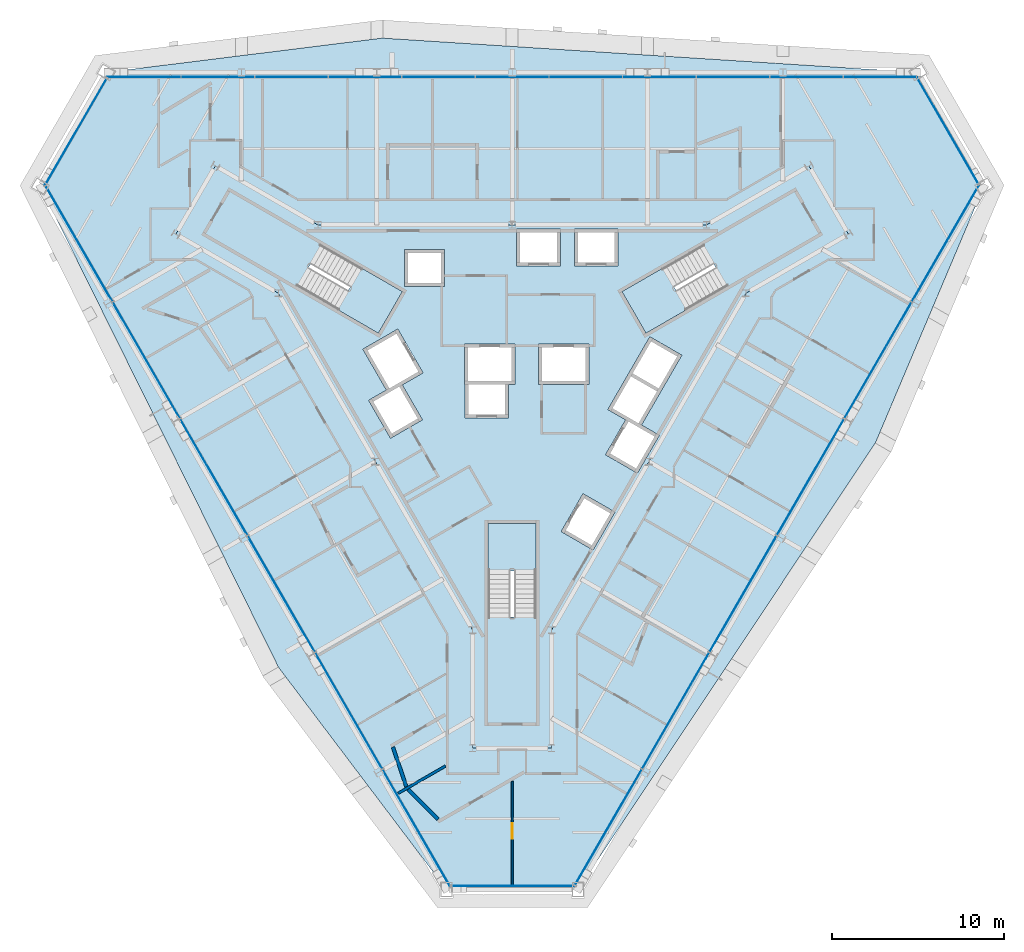
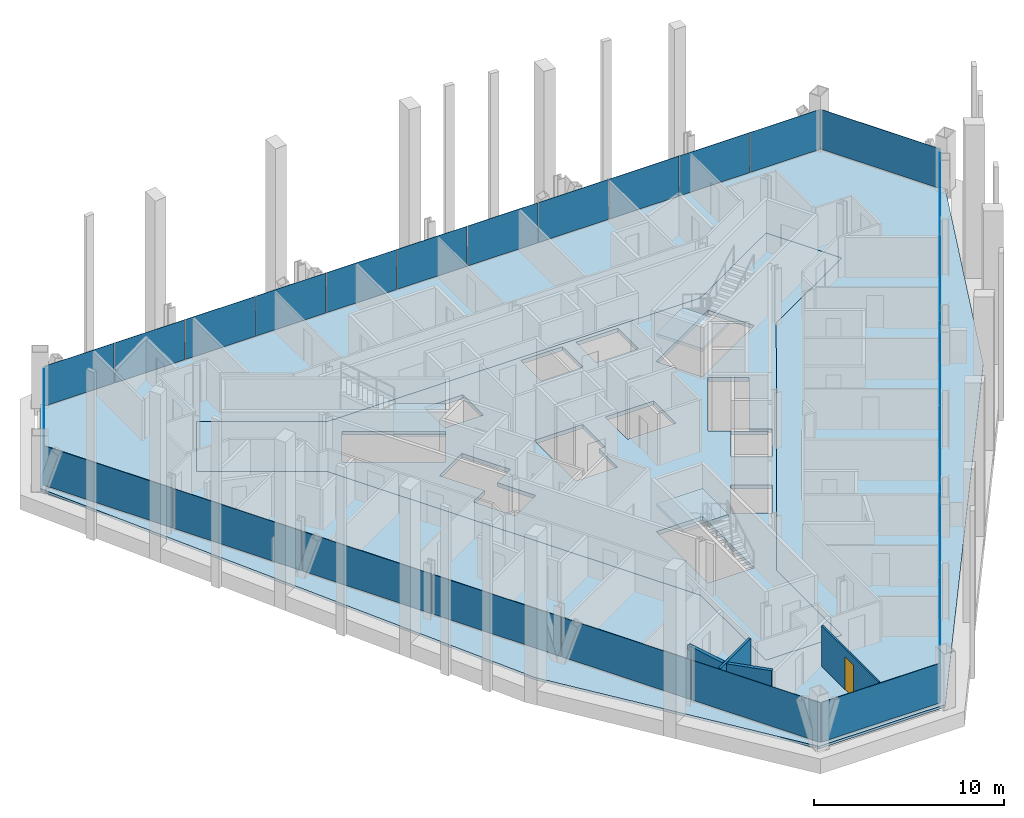
# One storey, part 9 of 17: 26 plates, 5 slabs, 4 walls, 1 door, 1 opening, 9 elements without a shape of their own.
"""IFC4 building model written with IfcOpenShell, lengths in metres."""

from ifc_helpers import new_model, si_unit, direction, frame, frame_2d, origin, origin_2d, place, context, subcontext, project, spatial, polyline, rectangle, outline, extrude, material, layer, layer_set, type_object, element, fill, aggregate, save


model = new_model("IFC4")

# Units and contexts
model_context = context("Model", 3, precision=1e-05, world=origin(), true_north=direction((0.0, 1.0)))
body_context = subcontext(model_context, "Body", "Model", "MODEL_VIEW")
ifc_project = project(units=[si_unit("LENGTHUNIT", "METRE"), si_unit("AREAUNIT", "SQUARE_METRE"), si_unit("VOLUMEUNIT", "CUBIC_METRE"), si_unit("PLANEANGLEUNIT", "RADIAN"), si_unit("MASSUNIT", "GRAM", prefix="KILO")], contexts=[model_context])

# Site, building, storey
site_placement = place(None, origin())
site = spatial("IfcSite", under=ifc_project, at=site_placement, CompositionType="ELEMENT")
building_placement = place(site_placement, origin())
building = spatial("IfcBuilding", under=site, at=building_placement, Name="Verrane Prism Tower", CompositionType="ELEMENT")
storey_placement = place(building_placement, frame((0.0, 0.0, 92.800048828125)))
storey = spatial("IfcBuildingStorey", under=building, at=storey_placement, Name="L21", CompositionType="ELEMENT", Elevation=92.800048828125)

# Slabs
ifc_material_1 = material(Name="Concrete C35/45", Category="concrete")
ifc_layer_1 = layer(ifc_material_1, 0.159912109375)
ifc_layer_set_1 = layer_set([ifc_layer_1], Name="Composite floor slab")
slab_type_1 = type_object("IfcSlabType", Name="Composite floor slab", PredefinedType="FLOOR", material=ifc_layer_set_1)
slab_1_placement = place(storey_placement, frame((0.0, 0.0, -0.16015625)))
element("IfcSlab", 1, at=slab_1_placement, inside=storey, type_object=slab_type_1, Name="Floor slab L21", PredefinedType="FLOOR", context=body_context, shape_type="SweptSolid", body=[
    extrude(outline(polyline([(21.1845703125, -3.4873046875), (3.8349609375, -29.53759765625), (-3.8349609375, -29.53759765625), (-13.6123046875, -16.6025390625), (-27.497802734375, 11.447509765625), (-23.662841796875, 18.090087890625), (-7.572021484375, 20.090087890625), (23.662841796875, 18.090087890625), (27.497802734375, 11.447509765625), (21.1845703125, -3.4873046875)]), holes=[polyline([(19.60009765625, 8.659912109375), (17.300048828125, 12.639892578125), (11.330078125, 9.199951171875), (0.0, 9.199951171875), (-11.330078125, 9.199951171875), (-17.300048828125, 12.639892578125), (-19.60009765625, 8.659912109375), (-13.6298828125, 5.219970703125), (-7.969970703125, -4.60009765625), (-2.300048828125, -14.419921875), (-2.300048828125, -21.300048828125), (2.300048828125, -21.300048828125), (2.300048828125, -14.419921875), (7.969970703125, -4.60009765625), (13.6298828125, 5.219970703125), (19.60009765625, 8.659912109375)])]), origin(), (0.0, 0.0, 1.0), 0.16015625),
])
ifc_material_2 = material(Name="Concrete C40/50", Category="concrete")
ifc_layer_2 = layer(ifc_material_2, 0.25)
ifc_layer_set_2 = layer_set([ifc_layer_2], Name="Core floor slab 250 concrete C40/50")
slab_type_2 = type_object("IfcSlabType", Name="Core floor slab 250 concrete C40/50", PredefinedType="FLOOR", material=ifc_layer_set_2)
slab_2_placement = place(storey_placement, frame((0.0, 0.0, -0.25)))
element("IfcSlab", 2, at=slab_2_placement, inside=storey, type_object=slab_type_2, Name="Core floor L21", PredefinedType="FLOOR", context=body_context, shape_type="SweptSolid", body=[
    extrude(outline(polyline([(13.6298828125, 5.219970703125), (19.60009765625, 8.659912109375), (17.300048828125, 12.639892578125), (11.330078125, 9.199951171875), (0.0, 9.199951171875), (-11.330078125, 9.199951171875), (-17.300048828125, 12.639892578125), (-19.60009765625, 8.659912109375), (-13.6298828125, 5.219970703125), (-7.969970703125, -4.60009765625), (-2.300048828125, -14.419921875), (-2.300048828125, -21.300048828125), (2.300048828125, -21.300048828125), (2.300048828125, -14.419921875), (7.969970703125, -4.60009765625), (13.6298828125, 5.219970703125)]), holes=[polyline([(1.39990234375, -8.199951171875), (1.39990234375, -13.639892578125), (-1.39990234375, -13.639892578125), (-1.39990234375, -8.199951171875), (1.39990234375, -8.199951171875)]), polyline([(0.1650390625, 2.25), (0.1650390625, -0.10009765625), (-0.205078125, -0.10009765625), (-0.205078125, -2.050048828125), (-2.7548828125, -2.050048828125), (-2.7548828125, -0.10009765625), (-2.784912109375, -0.10009765625), (-2.784912109375, 2.25), (0.1650390625, 2.25)]), polyline([(-7.801025390625, 2.887939453125), (-12.512939453125, 5.60791015625), (-11.113037109375, 8.031982421875), (-6.40087890625, 5.31201171875), (-7.801025390625, 2.887939453125)]), polyline([(-6.284912109375, 5.610107421875), (-6.284912109375, 7.760009765625), (-3.93505859375, 7.760009765625), (-3.93505859375, 5.610107421875), (-6.284912109375, 5.610107421875)]), polyline([(2.81494140625, 6.81005859375), (0.264892578125, 6.81005859375), (0.264892578125, 8.9599609375), (2.81494140625, 8.9599609375), (2.81494140625, 6.81005859375)]), polyline([(4.717041015625, -9.75), (2.85498046875, -8.675048828125), (4.1298828125, -6.466064453125), (5.991943359375, -7.541015625), (4.717041015625, -9.75)]), polyline([(8.303955078125, -3.136962890625), (5.575927734375, -1.56201171875), (8.02587890625, 2.680908203125), (9.887939453125, 1.60595703125), (7.5380859375, -2.464111328125), (8.576904296875, -3.06396484375), (7.302001953125, -5.27197265625), (5.43994140625, -4.197021484375), (6.614990234375, -2.162109375), (8.303955078125, -3.136962890625)]), polyline([(1.52490234375, -0.10009765625), (1.52490234375, 2.25), (4.47509765625, 2.25), (4.47509765625, -0.10009765625), (1.52490234375, -0.10009765625)]), polyline([(11.113037109375, 8.031982421875), (12.512939453125, 5.60791015625), (7.801025390625, 2.887939453125), (6.40087890625, 5.31201171875), (11.113037109375, 8.031982421875)]), polyline([(3.625, 6.81005859375), (3.625, 8.9599609375), (6.175048828125, 8.9599609375), (6.175048828125, 6.81005859375), (3.625, 6.81005859375)]), polyline([(-5.23095703125, -2.159912109375), (-7.093017578125, -3.235107421875), (-8.367919921875, -1.02587890625), (-7.3291015625, -0.426025390625), (-8.7041015625, 1.955078125), (-6.66796875, 3.1298828125), (-5.193115234375, 0.574951171875), (-6.406005859375, -0.125), (-5.23095703125, -2.159912109375)])]), origin(), (0.0, 0.0, 1.0), 0.25),
])

# Curtain wall, plates
ifc_material_3 = material(Name="Aluminium framed insulated glazing", Category="aluminium")
curtain_wall_type_1 = type_object("IfcCurtainWallType", Name="Curtain wall CW-C 4200 module", PredefinedType="NOTDEFINED", material=ifc_material_3)
curtain_wall_1_placement = place(storey_placement, origin())
curtain_wall_1 = element("IfcCurtainWall", 3, at=curtain_wall_1_placement, inside=storey, type_object=curtain_wall_type_1, Name="Glazed curtain wall north face L21", PredefinedType="NOTDEFINED")
ifc_material_4 = material(Name="Low-iron insulating glass unit", Category="glass")
ifc_layer_3 = layer(ifc_material_4, 0.02392578125)
ifc_layer_set_3 = layer_set([ifc_layer_3], Name="Glazing panel IGU 24")
plate_type_1 = type_object("IfcPlateType", Name="Glazing panel IGU 24", PredefinedType="CURTAIN_PANEL", material=ifc_layer_set_3)
plate_1_placement = place(storey_placement, frame((21.4326171875, 17.81103515625, 0.0498046875), z_axis=(0.0, 0.0, 1.0), x_axis=(-1.0, 0.0, 0.0)))
plate_1 = element("IfcPlate", 4, at=plate_1_placement, type_object=plate_type_1, Name="CW21.2 panel 1", PredefinedType="CURTAIN_PANEL", context=body_context, shape_type="SweptSolid", body=[
    extrude(rectangle(XDim=4.214111328125, YDim=0.02392578125, at=origin_2d()), origin(), (0.0, 0.0, 1.0), 2.56298828125),
])
plate_2_placement = place(storey_placement, frame((17.15625, 17.81103515625, 0.0498046875), z_axis=(0.0, 0.0, 1.0), x_axis=(-1.0, 0.0, 0.0)))
plate_2 = element("IfcPlate", 5, at=plate_2_placement, type_object=plate_type_1, Name="CW21.2 panel 2", PredefinedType="CURTAIN_PANEL", context=body_context, shape_type="SweptSolid", body=[
    extrude(rectangle(XDim=4.239013671875, YDim=0.02392578125, at=origin_2d()), origin(), (0.0, 0.0, 1.0), 2.56298828125),
])
plate_3_placement = place(storey_placement, frame((12.8671875, 17.81103515625, 0.0498046875), z_axis=(0.0, 0.0, 1.0), x_axis=(-1.0, 0.0, 0.0)))
plate_3 = element("IfcPlate", 6, at=plate_3_placement, type_object=plate_type_1, Name="CW21.2 panel 3", PredefinedType="CURTAIN_PANEL", context=body_context, shape_type="SweptSolid", body=[
    extrude(rectangle(XDim=4.239013671875, YDim=0.02392578125, at=origin_2d()), origin(), (0.0, 0.0, 1.0), 2.56298828125),
])
plate_4_placement = place(storey_placement, frame((8.578125, 17.81103515625, 0.0498046875), z_axis=(0.0, 0.0, 1.0), x_axis=(-1.0, 0.0, 0.0)))
plate_4 = element("IfcPlate", 7, at=plate_4_placement, type_object=plate_type_1, Name="CW21.2 panel 4", PredefinedType="CURTAIN_PANEL", context=body_context, shape_type="SweptSolid", body=[
    extrude(rectangle(XDim=4.239013671875, YDim=0.02392578125, at=origin_2d()), origin(), (0.0, 0.0, 1.0), 2.56298828125),
])
plate_5_placement = place(storey_placement, frame((4.2890625, 17.81103515625, 0.0498046875), z_axis=(0.0, 0.0, 1.0), x_axis=(-1.0, 0.0, 0.0)))
plate_5 = element("IfcPlate", 8, at=plate_5_placement, type_object=plate_type_1, Name="CW21.2 panel 5", PredefinedType="CURTAIN_PANEL", context=body_context, shape_type="SweptSolid", body=[
    extrude(rectangle(XDim=4.239013671875, YDim=0.02392578125, at=origin_2d()), origin(), (0.0, 0.0, 1.0), 2.56298828125),
])
plate_6_placement = place(storey_placement, frame((0.0, 17.81103515625, 0.0498046875), z_axis=(0.0, 0.0, 1.0), x_axis=(-1.0, 0.0, 0.0)))
plate_6 = element("IfcPlate", 9, at=plate_6_placement, type_object=plate_type_1, Name="CW21.2 panel 6", PredefinedType="CURTAIN_PANEL", context=body_context, shape_type="SweptSolid", body=[
    extrude(rectangle(XDim=4.239013671875, YDim=0.02392578125, at=origin_2d()), origin(), (0.0, 0.0, 1.0), 2.56298828125),
])
plate_7_placement = place(storey_placement, frame((-4.2890625, 17.81103515625, 0.0498046875), z_axis=(0.0, 0.0, 1.0), x_axis=(-1.0, 0.0, 0.0)))
plate_7 = element("IfcPlate", 10, at=plate_7_placement, type_object=plate_type_1, Name="CW21.2 panel 7", PredefinedType="CURTAIN_PANEL", context=body_context, shape_type="SweptSolid", body=[
    extrude(rectangle(XDim=4.239013671875, YDim=0.02392578125, at=origin_2d()), origin(), (0.0, 0.0, 1.0), 2.56298828125),
])
plate_8_placement = place(storey_placement, frame((-8.578125, 17.81103515625, 0.0498046875), z_axis=(0.0, 0.0, 1.0), x_axis=(-1.0, 0.0, 0.0)))
plate_8 = element("IfcPlate", 11, at=plate_8_placement, type_object=plate_type_1, Name="CW21.2 panel 8", PredefinedType="CURTAIN_PANEL", context=body_context, shape_type="SweptSolid", body=[
    extrude(rectangle(XDim=4.239013671875, YDim=0.02392578125, at=origin_2d()), origin(), (0.0, 0.0, 1.0), 2.56298828125),
])
plate_9_placement = place(storey_placement, frame((-12.8671875, 17.81103515625, 0.0498046875), z_axis=(0.0, 0.0, 1.0), x_axis=(-1.0, 0.0, 0.0)))
plate_9 = element("IfcPlate", 12, at=plate_9_placement, type_object=plate_type_1, Name="CW21.2 panel 9", PredefinedType="CURTAIN_PANEL", context=body_context, shape_type="SweptSolid", body=[
    extrude(rectangle(XDim=4.239013671875, YDim=0.02392578125, at=origin_2d()), origin(), (0.0, 0.0, 1.0), 2.56298828125),
])
plate_10_placement = place(storey_placement, frame((-17.15625, 17.81103515625, 0.0498046875), z_axis=(0.0, 0.0, 1.0), x_axis=(-1.0, 0.0, 0.0)))
plate_10 = element("IfcPlate", 13, at=plate_10_placement, type_object=plate_type_1, Name="CW21.2 panel 10", PredefinedType="CURTAIN_PANEL", context=body_context, shape_type="SweptSolid", body=[
    extrude(rectangle(XDim=4.239013671875, YDim=0.02392578125, at=origin_2d()), origin(), (0.0, 0.0, 1.0), 2.56298828125),
])
plate_11_placement = place(storey_placement, frame((-21.457763671875, 17.81103515625, 0.0498046875), z_axis=(0.0, 0.0, 1.0), x_axis=(-1.0, 0.0, 0.0)))
plate_11 = element("IfcPlate", 14, at=plate_11_placement, type_object=plate_type_1, Name="CW21.2 panel 11", PredefinedType="CURTAIN_PANEL", context=body_context, shape_type="SweptSolid", body=[
    extrude(rectangle(XDim=4.263916015625, YDim=0.02392578125, at=origin_2d()), origin(), (0.0, 0.0, 1.0), 2.56298828125),
])
aggregate(curtain_wall_1, [plate_1, plate_2, plate_3, plate_4, plate_5, plate_6, plate_7, plate_8, plate_9, plate_10, plate_11])

# Curtain wall, plate
ifc_material_5 = material(Name="Aluminium framed insulated glazing", Category="aluminium")
curtain_wall_type_2 = type_object("IfcCurtainWallType", Name="Curtain wall CW-A 8400 module", PredefinedType="NOTDEFINED", material=ifc_material_5)
curtain_wall_2_placement = place(storey_placement, origin())
curtain_wall_2 = element("IfcCurtainWall", 15, at=curtain_wall_2_placement, inside=storey, type_object=curtain_wall_type_2, Name="Glazed curtain wall north-east corner L21", PredefinedType="NOTDEFINED")
ifc_material_6 = material(Name="Low-iron insulating glass unit", Category="glass")
ifc_layer_4 = layer(ifc_material_6, 0.031982421875)
ifc_layer_set_4 = layer_set([ifc_layer_4], Name="Glazing panel IGU 32")
plate_type_2 = type_object("IfcPlateType", Name="Glazing panel IGU 32", PredefinedType="CURTAIN_PANEL", material=ifc_layer_set_4)
plate_12_placement = place(storey_placement, frame((25.38720703125, 14.69775390625, 0.06982421875), z_axis=(0.0, 0.0, 1.0), x_axis=(-0.499998283797, 0.866026394632, 0.0)))
plate_12 = element("IfcPlate", 16, at=plate_12_placement, type_object=plate_type_2, Name="CW21.1 panel 1", PredefinedType="CURTAIN_PANEL", context=body_context, shape_type="SweptSolid", body=[
    extrude(rectangle(XDim=7.18994140625, YDim=0.031982421875, at=origin_2d()), origin(), (0.0, 0.0, 1.0), 2.54296875),
])
aggregate(curtain_wall_2, [plate_12])

curtain_wall_3_placement = place(storey_placement, origin())
curtain_wall_3 = element("IfcCurtainWall", 17, at=curtain_wall_3_placement, inside=storey, type_object=curtain_wall_type_2, Name="Glazed curtain wall north-west corner L21", PredefinedType="NOTDEFINED")
plate_13_placement = place(storey_placement, frame((-25.422119140625, 14.63720703125, 0.06982421875), z_axis=(0.0, 0.0, 1.0), x_axis=(-0.499998283797, -0.866026394632, 0.0)))
plate_13 = element("IfcPlate", 18, at=plate_13_placement, type_object=plate_type_2, Name="CW21.3 panel 1", PredefinedType="CURTAIN_PANEL", context=body_context, shape_type="SweptSolid", body=[
    extrude(rectangle(XDim=7.18994140625, YDim=0.031982421875, at=origin_2d()), origin(), (0.0, 0.0, 1.0), 2.54296875),
])
aggregate(curtain_wall_3, [plate_13])

# Curtain wall, plates
curtain_wall_4_placement = place(storey_placement, origin())
curtain_wall_4 = element("IfcCurtainWall", 19, at=curtain_wall_4_placement, inside=storey, type_object=curtain_wall_type_2, Name="Glazed curtain wall south-west face L21", PredefinedType="NOTDEFINED")
plate_14_placement = place(storey_placement, frame((-25.2451171875, 8.103759765625, 0.06982421875), z_axis=(0.0, 0.0, 1.0), x_axis=(0.499999623108, -0.866025621383, 0.0)))
plate_14 = element("IfcPlate", 20, at=plate_14_placement, type_object=plate_type_2, Name="CW21.4 panel 1", PredefinedType="CURTAIN_PANEL", context=body_context, shape_type="SweptSolid", body=[
    extrude(rectangle(XDim=7.75830078125, YDim=0.031982421875, at=origin_2d()), origin(), (0.0, 0.0, 1.0), 2.54296875),
])
plate_15_placement = place(storey_placement, frame((-21.322265625, 1.30908203125, 0.06982421875), z_axis=(0.0, 0.0, 1.0), x_axis=(0.499999623108, -0.866025621383, 0.0)))
plate_15 = element("IfcPlate", 21, at=plate_15_placement, type_object=plate_type_2, Name="CW21.4 panel 2", PredefinedType="CURTAIN_PANEL", context=body_context, shape_type="SweptSolid", body=[
    extrude(rectangle(XDim=7.793212890625, YDim=0.031982421875, at=origin_2d()), origin(), (0.0, 0.0, 1.0), 2.54296875),
])
plate_16_placement = place(storey_placement, frame((-17.390625, -5.500732421875, 0.06982421875), z_axis=(0.0, 0.0, 1.0), x_axis=(0.499999623108, -0.866025621383, 0.0)))
plate_16 = element("IfcPlate", 22, at=plate_16_placement, type_object=plate_type_2, Name="CW21.4 panel 3", PredefinedType="CURTAIN_PANEL", context=body_context, shape_type="SweptSolid", body=[
    extrude(rectangle(XDim=7.793212890625, YDim=0.031982421875, at=origin_2d()), origin(), (0.0, 0.0, 1.0), 2.54296875),
])
plate_17_placement = place(storey_placement, frame((-13.458984375, -12.310302734375, 0.06982421875), z_axis=(0.0, 0.0, 1.0), x_axis=(0.499999623108, -0.866025621383, 0.0)))
plate_17 = element("IfcPlate", 23, at=plate_17_placement, type_object=plate_type_2, Name="CW21.4 panel 4", PredefinedType="CURTAIN_PANEL", context=body_context, shape_type="SweptSolid", body=[
    extrude(rectangle(XDim=7.793212890625, YDim=0.031982421875, at=origin_2d()), origin(), (0.0, 0.0, 1.0), 2.54296875),
])
plate_18_placement = place(storey_placement, frame((-9.52734375, -19.1201171875, 0.06982421875), z_axis=(0.0, 0.0, 1.0), x_axis=(0.499999623108, -0.866025621383, 0.0)))
plate_18 = element("IfcPlate", 24, at=plate_18_placement, type_object=plate_type_2, Name="CW21.4 panel 5", PredefinedType="CURTAIN_PANEL", context=body_context, shape_type="SweptSolid", body=[
    extrude(rectangle(XDim=7.793212890625, YDim=0.031982421875, at=origin_2d()), origin(), (0.0, 0.0, 1.0), 2.54296875),
])
plate_19_placement = place(storey_placement, frame((-5.5869140625, -25.945068359375, 0.06982421875), z_axis=(0.0, 0.0, 1.0), x_axis=(0.499999623108, -0.866025621383, 0.0)))
plate_19 = element("IfcPlate", 25, at=plate_19_placement, type_object=plate_type_2, Name="CW21.4 panel 6", PredefinedType="CURTAIN_PANEL", context=body_context, shape_type="SweptSolid", body=[
    extrude(rectangle(XDim=7.828125, YDim=0.031982421875, at=origin_2d()), origin(), (0.0, 0.0, 1.0), 2.54296875),
])
aggregate(curtain_wall_4, [plate_14, plate_15, plate_16, plate_17, plate_18, plate_19])

# Curtain wall, plate
curtain_wall_5_placement = place(storey_placement, origin())
curtain_wall_5 = element("IfcCurtainWall", 26, at=curtain_wall_5_placement, inside=storey, type_object=curtain_wall_type_2, Name="Glazed curtain wall south corner L21", PredefinedType="NOTDEFINED")
plate_20_placement = place(storey_placement, frame((0.034912109375, -29.334716796875, 0.06982421875), z_axis=(0.0, 0.0, 1.0), x_axis=(1.0, 0.0, 0.0)))
plate_20 = element("IfcPlate", 27, at=plate_20_placement, type_object=plate_type_2, Name="CW21.5 panel 1", PredefinedType="CURTAIN_PANEL", context=body_context, shape_type="SweptSolid", body=[
    extrude(rectangle(XDim=7.189697265625, YDim=0.031982421875, at=origin_2d()), origin(), (0.0, 0.0, 1.0), 2.54296875),
])
aggregate(curtain_wall_5, [plate_20])

# Curtain wall, plates
curtain_wall_6_placement = place(storey_placement, origin())
curtain_wall_6 = element("IfcCurtainWall", 28, at=curtain_wall_6_placement, inside=storey, type_object=curtain_wall_type_2, Name="Glazed curtain wall south-east face L21", PredefinedType="NOTDEFINED")
plate_21_placement = place(storey_placement, frame((5.6044921875, -25.914794921875, 0.06982421875), z_axis=(0.0, 0.0, 1.0), x_axis=(0.499999623108, 0.866025621383, 0.0)))
plate_21 = element("IfcPlate", 29, at=plate_21_placement, type_object=plate_type_2, Name="CW21.6 panel 1", PredefinedType="CURTAIN_PANEL", context=body_context, shape_type="SweptSolid", body=[
    extrude(rectangle(XDim=7.75830078125, YDim=0.031982421875, at=origin_2d()), origin(), (0.0, 0.0, 1.0), 2.54296875),
])
plate_22_placement = place(storey_placement, frame((9.52734375, -19.1201171875, 0.06982421875), z_axis=(0.0, 0.0, 1.0), x_axis=(0.499999623108, 0.866025621383, 0.0)))
plate_22 = element("IfcPlate", 30, at=plate_22_placement, type_object=plate_type_2, Name="CW21.6 panel 2", PredefinedType="CURTAIN_PANEL", context=body_context, shape_type="SweptSolid", body=[
    extrude(rectangle(XDim=7.793212890625, YDim=0.031982421875, at=origin_2d()), origin(), (0.0, 0.0, 1.0), 2.54296875),
])
plate_23_placement = place(storey_placement, frame((13.458984375, -12.310302734375, 0.06982421875), z_axis=(0.0, 0.0, 1.0), x_axis=(0.499999623108, 0.866025621383, 0.0)))
plate_23 = element("IfcPlate", 31, at=plate_23_placement, type_object=plate_type_2, Name="CW21.6 panel 3", PredefinedType="CURTAIN_PANEL", context=body_context, shape_type="SweptSolid", body=[
    extrude(rectangle(XDim=7.793212890625, YDim=0.031982421875, at=origin_2d()), origin(), (0.0, 0.0, 1.0), 2.54296875),
])
plate_24_placement = place(storey_placement, frame((17.390625, -5.500732421875, 0.06982421875), z_axis=(0.0, 0.0, 1.0), x_axis=(0.499999623108, 0.866025621383, 0.0)))
plate_24 = element("IfcPlate", 32, at=plate_24_placement, type_object=plate_type_2, Name="CW21.6 panel 4", PredefinedType="CURTAIN_PANEL", context=body_context, shape_type="SweptSolid", body=[
    extrude(rectangle(XDim=7.793212890625, YDim=0.031982421875, at=origin_2d()), origin(), (0.0, 0.0, 1.0), 2.54296875),
])
plate_25_placement = place(storey_placement, frame((21.322265625, 1.30908203125, 0.06982421875), z_axis=(0.0, 0.0, 1.0), x_axis=(0.499999623108, 0.866025621383, 0.0)))
plate_25 = element("IfcPlate", 33, at=plate_25_placement, type_object=plate_type_2, Name="CW21.6 panel 5", PredefinedType="CURTAIN_PANEL", context=body_context, shape_type="SweptSolid", body=[
    extrude(rectangle(XDim=7.793212890625, YDim=0.031982421875, at=origin_2d()), origin(), (0.0, 0.0, 1.0), 2.54296875),
])
plate_26_placement = place(storey_placement, frame((25.262451171875, 8.134033203125, 0.06982421875), z_axis=(0.0, 0.0, 1.0), x_axis=(0.499999623108, 0.866025621383, 0.0)))
plate_26 = element("IfcPlate", 34, at=plate_26_placement, type_object=plate_type_2, Name="CW21.6 panel 6", PredefinedType="CURTAIN_PANEL", context=body_context, shape_type="SweptSolid", body=[
    extrude(rectangle(XDim=7.828125, YDim=0.031982421875, at=origin_2d()), origin(), (0.0, 0.0, 1.0), 2.54296875),
])
aggregate(curtain_wall_6, [plate_21, plate_22, plate_23, plate_24, plate_25, plate_26])

# Stair, slab
ifc_material_7 = material(Name="Concrete C40/50", Category="concrete")
stair_type = type_object("IfcStairType", Name="Exit stair 1300 dog-leg precast concrete C40/50", PredefinedType="HALF_TURN_STAIR", material=ifc_material_7)
stair_1_placement = place(storey_placement, origin())
stair_1 = element("IfcStair", 35, at=stair_1_placement, inside=storey, type_object=stair_type, Name="Stair 1 L21", PredefinedType="HALF_TURN_STAIR")
ifc_material_8 = material(Name="Concrete C40/50", Category="concrete")
ifc_layer_5 = layer(ifc_material_8, 0.199951171875)
ifc_layer_set_5 = layer_set([ifc_layer_5], Name="Stair landing 200 precast concrete C40/50")
slab_type_3 = type_object("IfcSlabType", Name="Stair landing 200 precast concrete C40/50", PredefinedType="LANDING", material=ifc_layer_set_5)
slab_3_placement = place(storey_placement, frame((0.0, 0.0, 1.599853515625)))
slab_3 = element("IfcSlab", 36, at=slab_3_placement, type_object=slab_type_3, Name="Stair 1 landing 1", PredefinedType="LANDING", context=body_context, shape_type="SweptSolid", body=[
    extrude(outline(polyline([(8.791748046875, 6.6923828125), (6.4013671875, 5.3125), (7.801513671875, 2.887451171875), (10.191650390625, 4.267578125), (8.791748046875, 6.6923828125)])), origin(), (0.0, 0.0, 1.0), 0.2001953125),
])
aggregate(stair_1, [slab_3])

stair_2_placement = place(storey_placement, origin())
stair_2 = element("IfcStair", 37, at=stair_2_placement, inside=storey, type_object=stair_type, Name="Stair 2 L21", PredefinedType="HALF_TURN_STAIR")
slab_4_placement = place(storey_placement, frame((0.0, 0.0, 1.599853515625)))
slab_4 = element("IfcSlab", 38, at=slab_4_placement, type_object=slab_type_3, Name="Stair 2 landing 1", PredefinedType="LANDING", context=body_context, shape_type="SweptSolid", body=[
    extrude(outline(polyline([(-10.191650390625, 4.267578125), (-7.801513671875, 2.887451171875), (-6.4013671875, 5.3125), (-8.791748046875, 6.6923828125), (-10.191650390625, 4.267578125)])), origin(), (0.0, 0.0, 1.0), 0.2001953125),
])
aggregate(stair_2, [slab_4])

stair_3_placement = place(storey_placement, origin())
stair_3 = element("IfcStair", 39, at=stair_3_placement, inside=storey, type_object=stair_type, Name="Stair 3 L21", PredefinedType="HALF_TURN_STAIR")
slab_5_placement = place(storey_placement, frame((0.0, 0.0, 1.599853515625)))
slab_5 = element("IfcSlab", 40, at=slab_5_placement, type_object=slab_type_3, Name="Stair 3 landing 1", PredefinedType="LANDING", context=body_context, shape_type="SweptSolid", body=[
    extrude(outline(polyline([(1.39990234375, -10.9599609375), (1.39990234375, -8.199951171875), (-1.39990234375, -8.199951171875), (-1.39990234375, -10.9599609375), (1.39990234375, -10.9599609375)])), origin(), (0.0, 0.0, 1.0), 0.2001953125),
])
aggregate(stair_3, [slab_5])

# Wall, opening, door
ifc_material_9 = material(Name="Gypsum board partition", Category="other")
ifc_layer_6 = layer(ifc_material_9, 0.10009765625)
ifc_layer_set_6 = layer_set([ifc_layer_6], Name="PW-100 room partition")
wall_type_1 = type_object("IfcWallType", Name="PW-100 room partition", PredefinedType="PARTITIONING", material=ifc_layer_set_6)
wall_1_placement = place(storey_placement, frame((0.0, -29.239013671875, 0.0), z_axis=(0.0, 0.0, 1.0), x_axis=(0.0, 1.0, 0.0)))
wall_1 = element("IfcWall", 41, at=wall_1_placement, inside=storey, type_object=wall_type_1, Name="Room partition 052", PredefinedType="PARTITIONING", context=body_context, shape_type="SweptSolid", body=[
    extrude(rectangle(XDim=5.99658203125, YDim=0.10009765625, at=frame_2d((2.998291015625, 0.0))), origin(), (0.0, 0.0, 1.0), 2.613037109375),
])
opening_placement = place(wall_1_placement, frame((2.654052734375, 0.0, 0.0)))
opening = element("IfcOpeningElement", 42, at=opening_placement, cuts=wall_1, Name="Opening D21039", PredefinedType="OPENING", context=body_context, shape_type="SweptSolid", body=[
    extrude(rectangle(XDim=0.89990234375, YDim=2.10009765625, at=frame_2d((0.449951171875, 1.050048828125))), frame((0.0, 0.06005859375, 0.0), z_axis=(0.0, -1.0, 0.0), x_axis=(1.0, 0.0, 0.0)), (0.0, 0.0, 1.0), 0.1201171875),
])
ifc_material_10 = material(Name="Timber veneered door leaf", Category="wood")
door_type = type_object("IfcDoorType", Name="DR-900x2100 single leaf inner", OperationType="NOTDEFINED", PredefinedType="DOOR", material=ifc_material_10)
door_placement = place(opening_placement, origin())
door = element("IfcDoor", 43, at=door_placement, inside=storey, type_object=door_type, Name="Suite Living Room door", OperationType="SINGLE_SWING_LEFT", OverallHeight=2.10009765625, OverallWidth=0.89990234375, PredefinedType="DOOR", context=body_context, shape_type="SweptSolid", body=[
    extrude(rectangle(XDim=0.89990234375, YDim=2.10009765625, at=frame_2d((0.449951171875, 1.050048828125))), frame((0.0, 0.02490234375, 0.0), z_axis=(0.0, -1.0, 0.0), x_axis=(1.0, 0.0, 0.0)), (0.0, 0.0, 1.0), 0.050048828125),
])
fill(opening, door)

# Walls
ifc_material_11 = material(Name="Gypsum board partition", Category="other")
ifc_layer_7 = layer(ifc_material_11, 0.14990234375)
ifc_layer_set_7 = layer_set([ifc_layer_7], Name="PW-150 demising wall 1 h")
wall_type_2 = type_object("IfcWallType", Name="PW-150 demising wall 1 h", PredefinedType="PARTITIONING", material=ifc_layer_set_7)
wall_2_placement = place(storey_placement, frame((-6.639892578125, -23.928955078125, 0.0), z_axis=(0.0, 0.0, 1.0), x_axis=(0.866065365018, 0.499930778725, 0.0)))
element("IfcWall", 44, at=wall_2_placement, inside=storey, type_object=wall_type_2, Name="Demising wall 042", PredefinedType="PARTITIONING", context=body_context, shape_type="SweptSolid", body=[
    extrude(rectangle(XDim=3.1787109375, YDim=0.14990234375, at=frame_2d((1.58935546875, 0.0))), origin(), (0.0, 0.0, 1.0), 2.613037109375),
])
ifc_material_12 = material(Name="Gypsum board partition", Category="other")
ifc_layer_8 = layer(ifc_material_12, 0.199951171875)
ifc_layer_set_8 = layer_set([ifc_layer_8], Name="PW-200 plumbing wall")
wall_type_3 = type_object("IfcWallType", Name="PW-200 plumbing wall", PredefinedType="PARTITIONING", material=ifc_layer_set_8)
wall_3_placement = place(storey_placement, frame((-6.948486328125, -21.24169921875, 0.0), z_axis=(0.0, 0.0, 1.0), x_axis=(0.321098754357, -0.947045716927, 0.0)))
element("IfcWall", 45, at=wall_3_placement, inside=storey, type_object=wall_type_3, Name="Plumbing wall 040", PredefinedType="PARTITIONING", context=body_context, shape_type="SweptSolid", body=[
    extrude(rectangle(XDim=2.433837890625, YDim=0.199951171875, at=frame_2d((1.216796875, 0.0))), origin(), (0.0, 0.0, 1.0), 2.613037109375),
])
wall_4_placement = place(storey_placement, frame((-6.062255859375, -23.7119140625, 0.0), z_axis=(0.0, 0.0, 1.0), x_axis=(0.706958057502, -0.707255473597, 0.0)))
element("IfcWall", 46, at=wall_4_placement, inside=storey, type_object=wall_type_3, Name="Plumbing wall 043", PredefinedType="PARTITIONING", context=body_context, shape_type="SweptSolid", body=[
    extrude(rectangle(XDim=2.462646484375, YDim=0.199951171875, at=frame_2d((1.2314453125, 0.0))), origin(), (0.0, 0.0, 1.0), 2.613037109375),
])

save(model, "model.ifc")
